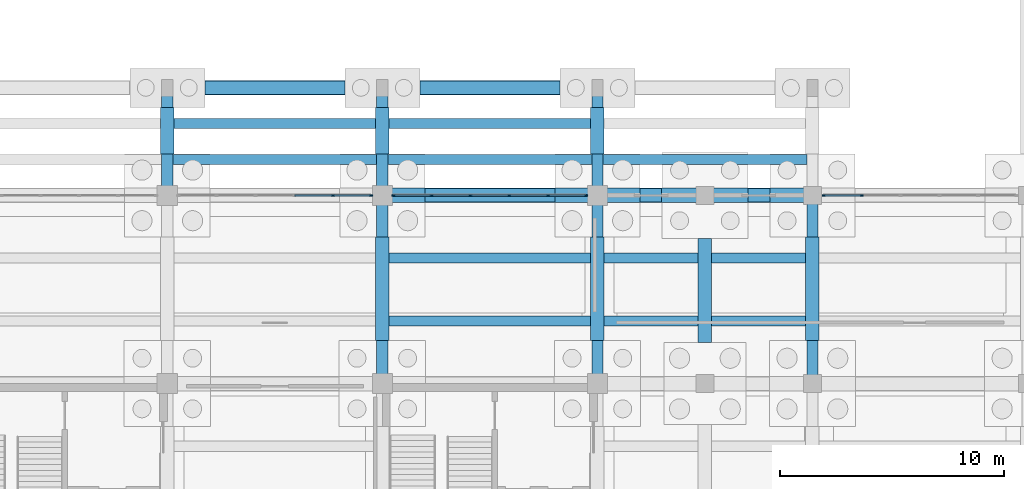
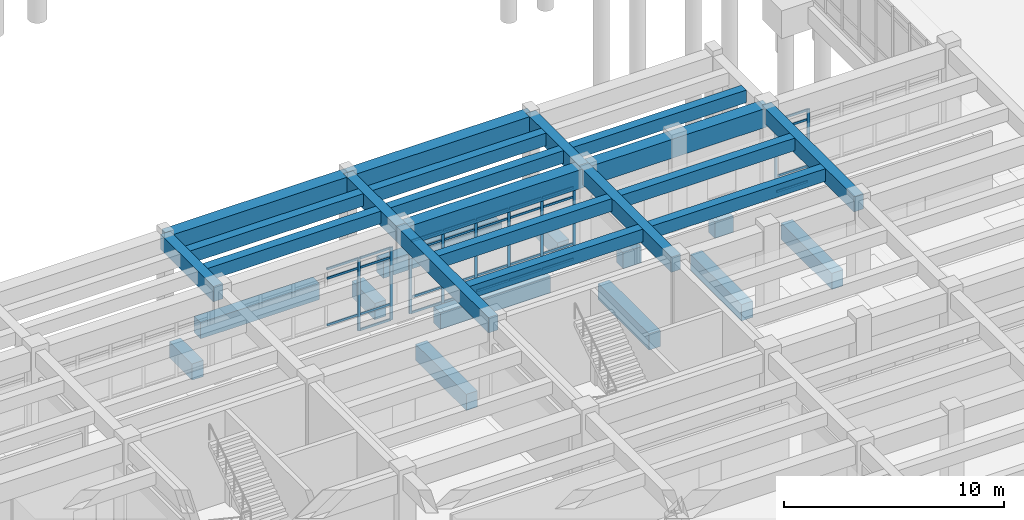
# One storey, part 27 of 102: 41 members, 31 beams, 3 elements without a shape of their own.
"""IFC4 building model written with IfcOpenShell, lengths in metres."""

from ifc_helpers import new_model, si_unit, direction, frame, origin, origin_2d, place, context, subcontext, project, spatial, rectangle, extrude, material, layer, layer_set, material_profile, profile_set, type_object, element, aggregate, save


model = new_model("IFC4")

# Units and contexts
model_context = context("Model", 3, precision=1e-05, world=origin(), true_north=direction((0.0, 1.0)))
body_context = subcontext(model_context, "Body", "Model", "MODEL_VIEW")
ifc_project = project(units=[si_unit("LENGTHUNIT", "METRE"), si_unit("AREAUNIT", "SQUARE_METRE"), si_unit("VOLUMEUNIT", "CUBIC_METRE"), si_unit("PLANEANGLEUNIT", "RADIAN"), si_unit("MASSUNIT", "GRAM", prefix="KILO")], contexts=[model_context])

# Site, building, storey
site_placement = place(None, origin())
site = spatial("IfcSite", under=ifc_project, at=site_placement, CompositionType="ELEMENT")
building_placement = place(site_placement, origin())
building = spatial("IfcBuilding", under=site, at=building_placement, Name="Kolvemor Railside Polytechnic", CompositionType="ELEMENT")
storey_placement = place(building_placement, origin())
storey = spatial("IfcBuildingStorey", under=building, at=storey_placement, Name="L00", CompositionType="ELEMENT", Elevation=0.0)

# Beams
ifc_material_1 = material(Name="Concrete C40/50", Category="concrete")
ifc_material_profile_1 = material_profile(ifc_material_1, rectangle(XDim=0.64990234375, YDim=1.050048828125, at=origin_2d()), Name="RC650x1050")
ifc_profile_set_1 = profile_set([ifc_material_profile_1], Name="Concrete C40/50")
beam_type_1 = type_object("IfcBeamType", Name="BM-RC-GIRD2", PredefinedType="BEAM", material=ifc_profile_set_1)
beam_1_placement = place(storey_placement, frame((105.60009765625, 38.39990234375, 4.5849609375), z_axis=(1.0, 0.0, 0.0), x_axis=(0.0, 1.0, 0.0)))
element("IfcBeam", 1, at=beam_1_placement, inside=storey, type_object=beam_type_1, Name="Primary Girder L01-GX 0233", PredefinedType="BEAM", context=body_context, shape_type="SweptSolid", body=[
    extrude(rectangle(XDim=0.64990234375, YDim=1.050048828125, at=origin_2d()), origin(), (0.0, 0.0, 1.0), 9.599853515625),
])
for number, where, z_axis, x_axis, name in (
    (2, (115.199951171875, 38.39990234375, 4.5849609375), (1.0, 0.0, 0.0), (0.0, 1.0, 0.0), "Primary Girder L01-GX 0234"),
    (3, (96.0, 43.199951171875, 4.5849609375), (1.0, 0.0, 0.0), (0.0, 1.0, 0.0), "Primary Girder L01-GX 1839"),
):
    element("IfcBeam", number, at=place(storey_placement, frame(where, z_axis=z_axis, x_axis=x_axis)), inside=storey, type_object=beam_type_1, Name=name, PredefinedType="BEAM", context=body_context, shape_type="SweptSolid", body=[
        extrude(rectangle(XDim=0.64990234375, YDim=1.050048828125, at=origin_2d()), origin(), (0.0, 0.0, 1.0), 9.60009765625),
    ])
beam_2_placement = place(storey_placement, frame((105.60009765625, 43.199951171875, 4.5849609375), z_axis=(1.0, 0.0, 0.0), x_axis=(0.0, 1.0, 0.0)))
element("IfcBeam", 4, at=beam_2_placement, inside=storey, type_object=beam_type_1, Name="Primary Girder L01-GX 1840", PredefinedType="BEAM", context=body_context, shape_type="SweptSolid", body=[
    extrude(rectangle(XDim=0.64990234375, YDim=1.050048828125, at=origin_2d()), origin(), (0.0, 0.0, 1.0), 9.599853515625),
])
ifc_material_2 = material(Name="Concrete C40/50", Category="concrete")
ifc_material_profile_2 = material_profile(ifc_material_2, rectangle(XDim=0.5, YDim=0.85009765625, at=origin_2d()), Name="RC500x850")
ifc_profile_set_2 = profile_set([ifc_material_profile_2], Name="Concrete C40/50")
beam_type_2 = type_object("IfcBeamType", Name="BM-RC-GIRD3", PredefinedType="BEAM", material=ifc_profile_set_2)
for number, where, z_axis, x_axis, name in (
    (5, (105.60009765625, 30.0, 4.68505859375), (0.0, 1.0, 0.0), (-1.0, 0.0, 0.0), "Primary Girder L01-GY 0259"),
    (6, (115.199951171875, 30.0, 4.68505859375), (0.0, 1.0, 0.0), (-1.0, 0.0, 0.0), "Primary Girder L01-GY 0263"),
    (7, (124.800048828125, 30.0, 4.68505859375), (0.0, 1.0, 0.0), (-1.0, 0.0, 0.0), "Primary Girder L01-GY 0267"),
):
    element("IfcBeam", number, at=place(storey_placement, frame(where, z_axis=z_axis, x_axis=x_axis)), inside=storey, type_object=beam_type_2, Name=name, PredefinedType="BEAM", context=body_context, shape_type="SweptSolid", body=[
        extrude(rectangle(XDim=0.5, YDim=0.85009765625, at=origin_2d()), origin(), (0.0, 0.0, 1.0), 8.39990234375),
    ])
for number, where, z_axis, x_axis, name in (
    (8, (96.0, 38.39990234375, 4.68505859375), (0.0, 1.0, 0.0), (-1.0, 0.0, 0.0), "Primary Girder L01-GY 1846"),
    (9, (105.60009765625, 38.39990234375, 4.68505859375), (0.0, 1.0, 0.0), (-1.0, 0.0, 0.0), "Primary Girder L01-GY 1847"),
    (10, (115.199951171875, 38.39990234375, 4.68505859375), (0.0, 1.0, 0.0), (-1.0, 0.0, 0.0), "Primary Girder L01-GY 1848"),
):
    element("IfcBeam", number, at=place(storey_placement, frame(where, z_axis=z_axis, x_axis=x_axis)), inside=storey, type_object=beam_type_2, Name=name, PredefinedType="BEAM", context=body_context, shape_type="SweptSolid", body=[
        extrude(rectangle(XDim=0.5, YDim=0.85009765625, at=origin_2d()), origin(), (0.0, 0.0, 1.0), 4.800048828125),
    ])
ifc_material_3 = material(Name="Concrete C40/50", Category="concrete")
ifc_material_profile_3 = material_profile(ifc_material_3, rectangle(XDim=0.449951171875, YDim=0.699951171875, at=origin_2d()), Name="RC450x700")
ifc_profile_set_3 = profile_set([ifc_material_profile_3], Name="Concrete C40/50")
beam_type_3 = type_object("IfcBeamType", Name="BM-RC-SEC2", PredefinedType="JOIST", material=ifc_profile_set_3)
for number, where, z_axis, x_axis, name in (
    (11, (105.85009765625, 32.800048828125, 4.760009765625), (1.0, 0.0, 0.0), (0.0, 1.0, 0.0), "Floor Joist L01-J0320"),
    (12, (105.85009765625, 35.60009765625, 4.760009765625), (1.0, 0.0, 0.0), (0.0, 1.0, 0.0), "Floor Joist L01-J0321"),
):
    element("IfcBeam", number, at=place(storey_placement, frame(where, z_axis=z_axis, x_axis=x_axis)), inside=storey, type_object=beam_type_3, Name=name, PredefinedType="JOIST", context=body_context, shape_type="SweptSolid", body=[
        extrude(rectangle(XDim=0.449951171875, YDim=0.699951171875, at=origin_2d()), origin(), (0.0, 0.0, 1.0), 9.099853515625),
    ])
for number, where, z_axis, x_axis, name in (
    (13, (115.449951171875, 32.800048828125, 4.760009765625), (1.0, 0.0, 0.0), (0.0, 1.0, 0.0), "Floor Joist L01-J0328"),
    (14, (115.449951171875, 35.60009765625, 4.760009765625), (1.0, 0.0, 0.0), (0.0, 1.0, 0.0), "Floor Joist L01-J0329"),
    (15, (96.25, 40.0, 4.760009765625), (1.0, 0.0, 0.0), (0.0, 1.0, 0.0), "Floor Joist L01-J1858"),
    (16, (96.25, 41.60009765625, 4.760009765625), (1.0, 0.0, 0.0), (0.0, 1.0, 0.0), "Floor Joist L01-J1859"),
):
    element("IfcBeam", number, at=place(storey_placement, frame(where, z_axis=z_axis, x_axis=x_axis)), inside=storey, type_object=beam_type_3, Name=name, PredefinedType="JOIST", context=body_context, shape_type="SweptSolid", body=[
        extrude(rectangle(XDim=0.449951171875, YDim=0.699951171875, at=origin_2d()), origin(), (0.0, 0.0, 1.0), 9.10009765625),
    ])
for number, where, z_axis, x_axis, name in (
    (17, (105.85009765625, 40.0, 4.760009765625), (1.0, 0.0, 0.0), (0.0, 1.0, 0.0), "Floor Joist L01-J1860"),
    (18, (105.85009765625, 41.60009765625, 4.760009765625), (1.0, 0.0, 0.0), (0.0, 1.0, 0.0), "Floor Joist L01-J1861"),
):
    element("IfcBeam", number, at=place(storey_placement, frame(where, z_axis=z_axis, x_axis=x_axis)), inside=storey, type_object=beam_type_3, Name=name, PredefinedType="JOIST", context=body_context, shape_type="SweptSolid", body=[
        extrude(rectangle(XDim=0.449951171875, YDim=0.699951171875, at=origin_2d()), origin(), (0.0, 0.0, 1.0), 9.099853515625),
    ])
beam_3_placement = place(storey_placement, frame((115.449951171875, 40.0, 4.760009765625), z_axis=(1.0, 0.0, 0.0), x_axis=(0.0, 1.0, 0.0)))
element("IfcBeam", 19, at=beam_3_placement, inside=storey, type_object=beam_type_3, Name="Floor Joist L01-J1862", PredefinedType="JOIST", context=body_context, shape_type="SweptSolid", body=[
    extrude(rectangle(XDim=0.449951171875, YDim=0.699951171875, at=origin_2d()), origin(), (0.0, 0.0, 1.0), 9.10009765625),
])
ifc_material_4 = material(Name="Concrete C40/50", Category="concrete")
ifc_material_profile_4 = material_profile(ifc_material_4, rectangle(XDim=0.60009765625, YDim=0.89990234375, at=origin_2d()), Name="RC600x900")
ifc_profile_set_4 = profile_set([ifc_material_profile_4], Name="Concrete C40/50")
beam_type_4 = type_object("IfcBeamType", Name="BM-RC-TIE", PredefinedType="BEAM", material=ifc_profile_set_4)
beam_4_placement = place(storey_placement, frame((107.501953125, 38.39990234375, -0.75), z_axis=(1.0, 0.0, 0.0), x_axis=(0.0, 1.0, 0.0)))
element("IfcBeam", 20, at=beam_4_placement, inside=storey, type_object=beam_type_4, Name="Ground Tie Beam GTB-X119", PredefinedType="BEAM", context=body_context, shape_type="SweptSolid", body=[
    extrude(rectangle(XDim=0.60009765625, YDim=0.89990234375, at=origin_2d()), origin(), (0.0, 0.0, 1.0), 5.796142578125),
])
for number, where, z_axis, x_axis, name in (
    (21, (117.10205078125, 38.39990234375, -0.75), (1.0, 0.0, 0.0), (0.0, 1.0, 0.0), "Ground Tie Beam GTB-X120"),
    (22, (121.927001953125, 38.39990234375, -0.75), (1.0, 0.0, 0.0), (0.0, 1.0, 0.0), "Ground Tie Beam GTB-X121"),
):
    element("IfcBeam", number, at=place(storey_placement, frame(where, z_axis=z_axis, x_axis=x_axis)), inside=storey, type_object=beam_type_4, Name=name, PredefinedType="BEAM", context=body_context, shape_type="SweptSolid", body=[
        extrude(rectangle(XDim=0.60009765625, YDim=0.89990234375, at=origin_2d()), origin(), (0.0, 0.0, 1.0), 0.970947265625),
    ])
beam_5_placement = place(storey_placement, frame((97.677001953125, 43.199951171875, -0.75), z_axis=(1.0, 0.0, 0.0), x_axis=(0.0, 1.0, 0.0)))
element("IfcBeam", 23, at=beam_5_placement, inside=storey, type_object=beam_type_4, Name="Ground Tie Beam GTB-X132", PredefinedType="BEAM", context=body_context, shape_type="SweptSolid", body=[
    extrude(rectangle(XDim=0.60009765625, YDim=0.89990234375, at=origin_2d()), origin(), (0.0, 0.0, 1.0), 6.24609375),
])
beam_6_placement = place(storey_placement, frame((107.277099609375, 43.199951171875, -0.75), z_axis=(1.0, 0.0, 0.0), x_axis=(0.0, 1.0, 0.0)))
element("IfcBeam", 24, at=beam_6_placement, inside=storey, type_object=beam_type_4, Name="Ground Tie Beam GTB-X133", PredefinedType="BEAM", context=body_context, shape_type="SweptSolid", body=[
    extrude(rectangle(XDim=0.60009765625, YDim=0.89990234375, at=origin_2d()), origin(), (0.0, 0.0, 1.0), 6.245849609375),
])
beam_7_placement = place(storey_placement, frame((96.0, 40.251953125, -0.75), z_axis=(0.0, 1.0, 0.0), x_axis=(-1.0, 0.0, 0.0)))
element("IfcBeam", 25, at=beam_7_placement, inside=storey, type_object=beam_type_4, Name="Ground Tie Beam GTB-Y347", PredefinedType="BEAM", context=body_context, shape_type="SweptSolid", body=[
    extrude(rectangle(XDim=0.60009765625, YDim=0.89990234375, at=origin_2d()), origin(), (0.0, 0.0, 1.0), 2.071044921875),
])
beam_8_placement = place(storey_placement, frame((105.60009765625, 31.927001953125, -0.75), z_axis=(0.0, 1.0, 0.0), x_axis=(-1.0, 0.0, 0.0)))
element("IfcBeam", 26, at=beam_8_placement, inside=storey, type_object=beam_type_4, Name="Ground Tie Beam GTB-Y354", PredefinedType="BEAM", context=body_context, shape_type="SweptSolid", body=[
    extrude(rectangle(XDim=0.60009765625, YDim=0.89990234375, at=origin_2d()), origin(), (0.0, 0.0, 1.0), 4.62109375),
])
beam_9_placement = place(storey_placement, frame((105.60009765625, 40.251953125, -0.75), z_axis=(0.0, 1.0, 0.0), x_axis=(-1.0, 0.0, 0.0)))
element("IfcBeam", 27, at=beam_9_placement, inside=storey, type_object=beam_type_4, Name="Ground Tie Beam GTB-Y355", PredefinedType="BEAM", context=body_context, shape_type="SweptSolid", body=[
    extrude(rectangle(XDim=0.60009765625, YDim=0.89990234375, at=origin_2d()), origin(), (0.0, 0.0, 1.0), 2.071044921875),
])
beam_10_placement = place(storey_placement, frame((115.199951171875, 31.927001953125, -0.75), z_axis=(0.0, 1.0, 0.0), x_axis=(-1.0, 0.0, 0.0)))
element("IfcBeam", 28, at=beam_10_placement, inside=storey, type_object=beam_type_4, Name="Ground Tie Beam GTB-Y362", PredefinedType="BEAM", context=body_context, shape_type="SweptSolid", body=[
    extrude(rectangle(XDim=0.60009765625, YDim=0.89990234375, at=origin_2d()), origin(), (0.0, 0.0, 1.0), 4.62109375),
])
beam_11_placement = place(storey_placement, frame((115.199951171875, 40.251953125, -0.75), z_axis=(0.0, 1.0, 0.0), x_axis=(-1.0, 0.0, 0.0)))
element("IfcBeam", 29, at=beam_11_placement, inside=storey, type_object=beam_type_4, Name="Ground Tie Beam GTB-Y363", PredefinedType="BEAM", context=body_context, shape_type="SweptSolid", body=[
    extrude(rectangle(XDim=0.60009765625, YDim=0.89990234375, at=origin_2d()), origin(), (0.0, 0.0, 1.0), 2.071044921875),
])
beam_12_placement = place(storey_placement, frame((120.0, 31.826904296875, -0.75), z_axis=(0.0, 1.0, 0.0), x_axis=(-1.0, 0.0, 0.0)))
element("IfcBeam", 30, at=beam_12_placement, inside=storey, type_object=beam_type_4, Name="Ground Tie Beam GTB-Y369", PredefinedType="BEAM", context=body_context, shape_type="SweptSolid", body=[
    extrude(rectangle(XDim=0.60009765625, YDim=0.89990234375, at=origin_2d()), origin(), (0.0, 0.0, 1.0), 4.64599609375),
])
beam_13_placement = place(storey_placement, frame((124.800048828125, 31.927001953125, -0.75), z_axis=(0.0, 1.0, 0.0), x_axis=(-1.0, 0.0, 0.0)))
element("IfcBeam", 31, at=beam_13_placement, inside=storey, type_object=beam_type_4, Name="Ground Tie Beam GTB-Y374", PredefinedType="BEAM", context=body_context, shape_type="SweptSolid", body=[
    extrude(rectangle(XDim=0.60009765625, YDim=0.89990234375, at=origin_2d()), origin(), (0.0, 0.0, 1.0), 4.62109375),
])

# Curtain wall, members
ifc_material_5 = material(Name="Anodised marine aluminium and laminated low-E glass", Category="aluminium")
ifc_layer = layer(ifc_material_5, 0.179931640625, Name="CW-UNIT-STD")
ifc_layer_set = layer_set([ifc_layer], Name="Anodised marine aluminium and laminated low-E glass")
curtain_wall_type = type_object("IfcCurtainWallType", Name="CW-UNIT-STD", PredefinedType="USERDEFINED", material=ifc_layer_set)
curtain_wall_1_placement = place(storey_placement, origin())
curtain_wall_1 = element("IfcCurtainWall", 32, at=curtain_wall_1_placement, inside=storey, type_object=curtain_wall_type, Name="Curtain Wall L00-110", ObjectType="UNITISED CURTAIN WALL", PredefinedType="USERDEFINED")
ifc_material_6 = material(Name="Anodised marine aluminium 6063-T6", Category="aluminium")
ifc_material_profile_5 = material_profile(ifc_material_6, rectangle(XDim=0.06494140625, YDim=0.14990234375, at=origin_2d()), Name="CW-MUL-65x150")
ifc_profile_set_5 = profile_set([ifc_material_profile_5], Name="Anodised marine aluminium 6063-T6")
member_type_1 = type_object("IfcMemberType", Name="CWM-65x150", PredefinedType="MULLION", material=ifc_profile_set_5)
member_1_placement = place(storey_placement, frame((105.097412109375, 38.39990234375, 0.0), z_axis=(0.0, 0.0, 1.0), x_axis=(0.0, -1.0, 0.0)))
member_1 = element("IfcMember", 33, at=member_1_placement, type_object=member_type_1, Name="CW-STD mullion 1", PredefinedType="MULLION", context=body_context, shape_type="SweptSolid", body=[
    extrude(rectangle(XDim=0.06494140625, YDim=0.14990234375, at=origin_2d()), origin(), (0.0, 0.0, 1.0), 4.0400390625),
])
member_2_placement = place(storey_placement, frame((103.39794921875, 38.39990234375, 0.0), z_axis=(0.0, 0.0, 1.0), x_axis=(0.0, -1.0, 0.0)))
member_2 = element("IfcMember", 34, at=member_2_placement, type_object=member_type_1, Name="CW-STD mullion 2", PredefinedType="MULLION", context=body_context, shape_type="SweptSolid", body=[
    extrude(rectangle(XDim=0.06494140625, YDim=0.14990234375, at=origin_2d()), origin(), (0.0, 0.0, 1.0), 4.0400390625),
])

curtain_wall_2_placement = place(storey_placement, origin())
curtain_wall_2 = element("IfcCurtainWall", 35, at=curtain_wall_2_placement, inside=storey, type_object=curtain_wall_type, Name="Curtain Wall L00-111", ObjectType="UNITISED CURTAIN WALL", PredefinedType="USERDEFINED")
member_3_placement = place(storey_placement, frame((114.697509765625, 38.39990234375, 0.0), z_axis=(0.0, 0.0, 1.0), x_axis=(0.0, -1.0, 0.0)))
member_3 = element("IfcMember", 36, at=member_3_placement, type_object=member_type_1, Name="CW-STD mullion 1", PredefinedType="MULLION", context=body_context, shape_type="SweptSolid", body=[
    extrude(rectangle(XDim=0.06494140625, YDim=0.14990234375, at=origin_2d()), origin(), (0.0, 0.0, 1.0), 4.0400390625),
])
member_4_placement = place(storey_placement, frame((112.998046875, 38.39990234375, 0.0), z_axis=(0.0, 0.0, 1.0), x_axis=(0.0, -1.0, 0.0)))
member_4 = element("IfcMember", 37, at=member_4_placement, type_object=member_type_1, Name="CW-STD mullion 2", PredefinedType="MULLION", context=body_context, shape_type="SweptSolid", body=[
    extrude(rectangle(XDim=0.06494140625, YDim=0.14990234375, at=origin_2d()), origin(), (0.0, 0.0, 1.0), 4.0400390625),
])
member_5_placement = place(storey_placement, frame((111.26611328125, 38.39990234375, 0.0), z_axis=(0.0, 0.0, 1.0), x_axis=(0.0, -1.0, 0.0)))
member_5 = element("IfcMember", 38, at=member_5_placement, type_object=member_type_1, Name="CW-STD mullion 3", PredefinedType="MULLION", context=body_context, shape_type="SweptSolid", body=[
    extrude(rectangle(XDim=0.06494140625, YDim=0.14990234375, at=origin_2d()), origin(), (0.0, 0.0, 1.0), 4.0400390625),
])
member_6_placement = place(storey_placement, frame((109.533935546875, 38.39990234375, 0.0), z_axis=(0.0, 0.0, 1.0), x_axis=(0.0, -1.0, 0.0)))
member_6 = element("IfcMember", 39, at=member_6_placement, type_object=member_type_1, Name="CW-STD mullion 4", PredefinedType="MULLION", context=body_context, shape_type="SweptSolid", body=[
    extrude(rectangle(XDim=0.06494140625, YDim=0.14990234375, at=origin_2d()), origin(), (0.0, 0.0, 1.0), 4.0400390625),
])
member_7_placement = place(storey_placement, frame((107.802001953125, 38.39990234375, 0.0), z_axis=(0.0, 0.0, 1.0), x_axis=(0.0, -1.0, 0.0)))
member_7 = element("IfcMember", 40, at=member_7_placement, type_object=member_type_1, Name="CW-STD mullion 5", PredefinedType="MULLION", context=body_context, shape_type="SweptSolid", body=[
    extrude(rectangle(XDim=0.06494140625, YDim=0.14990234375, at=origin_2d()), origin(), (0.0, 0.0, 1.0), 4.0400390625),
])
member_8_placement = place(storey_placement, frame((106.1025390625, 38.39990234375, 0.0), z_axis=(0.0, 0.0, 1.0), x_axis=(0.0, -1.0, 0.0)))
member_8 = element("IfcMember", 41, at=member_8_placement, type_object=member_type_1, Name="CW-STD mullion 6", PredefinedType="MULLION", context=body_context, shape_type="SweptSolid", body=[
    extrude(rectangle(XDim=0.06494140625, YDim=0.14990234375, at=origin_2d()), origin(), (0.0, 0.0, 1.0), 4.0400390625),
])

curtain_wall_3_placement = place(storey_placement, origin())
curtain_wall_3 = element("IfcCurtainWall", 42, at=curtain_wall_3_placement, inside=storey, type_object=curtain_wall_type, Name="Curtain Wall L00-112", ObjectType="UNITISED CURTAIN WALL", PredefinedType="USERDEFINED")
member_9_placement = place(storey_placement, frame((127.001953125, 38.39990234375, 0.0), z_axis=(0.0, 0.0, 1.0), x_axis=(0.0, -1.0, 0.0)))
member_9 = element("IfcMember", 43, at=member_9_placement, type_object=member_type_1, Name="CW-STD mullion 5", PredefinedType="MULLION", context=body_context, shape_type="SweptSolid", body=[
    extrude(rectangle(XDim=0.06494140625, YDim=0.14990234375, at=origin_2d()), origin(), (0.0, 0.0, 1.0), 4.0400390625),
])
member_10_placement = place(storey_placement, frame((125.302490234375, 38.39990234375, 0.0), z_axis=(0.0, 0.0, 1.0), x_axis=(0.0, -1.0, 0.0)))
member_10 = element("IfcMember", 44, at=member_10_placement, type_object=member_type_1, Name="CW-STD mullion 6", PredefinedType="MULLION", context=body_context, shape_type="SweptSolid", body=[
    extrude(rectangle(XDim=0.06494140625, YDim=0.14990234375, at=origin_2d()), origin(), (0.0, 0.0, 1.0), 4.0400390625),
])

# Member
ifc_material_7 = material(Name="Anodised marine aluminium 6063-T6", Category="aluminium")
ifc_material_profile_6 = material_profile(ifc_material_7, rectangle(XDim=0.06494140625, YDim=0.1201171875, at=origin_2d()), Name="CW-TRN-65x120")
ifc_profile_set_6 = profile_set([ifc_material_profile_6], Name="Anodised marine aluminium 6063-T6")
member_type_2 = type_object("IfcMemberType", Name="CWT-65x120", PredefinedType="USERDEFINED", material=ifc_profile_set_6)
member_11_placement = place(storey_placement, frame((105.06494140625, 38.39990234375, 0.032470703125), z_axis=(-1.0, 0.0, 0.0), x_axis=(0.0, -1.0, 0.0)))
member_11 = element("IfcMember", 45, at=member_11_placement, type_object=member_type_2, Name="CW-STD transom 1.1", ObjectType="TRANSOM", PredefinedType="USERDEFINED", context=body_context, shape_type="SweptSolid", body=[
    extrude(rectangle(XDim=0.06494140625, YDim=0.1201171875, at=origin_2d()), origin(), (0.0, 0.0, 1.0), 1.634521484375),
])

member_12_placement = place(storey_placement, frame((105.06494140625, 38.39990234375, 0.89990234375), z_axis=(-1.0, 0.0, 0.0), x_axis=(0.0, -1.0, 0.0)))
member_12 = element("IfcMember", 46, at=member_12_placement, type_object=member_type_2, Name="CW-STD transom 1.2", ObjectType="TRANSOM", PredefinedType="USERDEFINED", context=body_context, shape_type="SweptSolid", body=[
    extrude(rectangle(XDim=0.06494140625, YDim=0.1201171875, at=origin_2d()), origin(), (0.0, 0.0, 1.0), 1.634521484375),
])

member_13_placement = place(storey_placement, frame((105.06494140625, 38.39990234375, 3.489990234375), z_axis=(-1.0, 0.0, 0.0), x_axis=(0.0, -1.0, 0.0)))
member_13 = element("IfcMember", 47, at=member_13_placement, type_object=member_type_2, Name="CW-STD transom 1.3", ObjectType="TRANSOM", PredefinedType="USERDEFINED", context=body_context, shape_type="SweptSolid", body=[
    extrude(rectangle(XDim=0.06494140625, YDim=0.1201171875, at=origin_2d()), origin(), (0.0, 0.0, 1.0), 1.634521484375),
])

member_14_placement = place(storey_placement, frame((105.06494140625, 38.39990234375, 4.007568359375), z_axis=(-1.0, 0.0, 0.0), x_axis=(0.0, -1.0, 0.0)))
member_14 = element("IfcMember", 48, at=member_14_placement, type_object=member_type_2, Name="CW-STD transom 1.4", ObjectType="TRANSOM", PredefinedType="USERDEFINED", context=body_context, shape_type="SweptSolid", body=[
    extrude(rectangle(XDim=0.06494140625, YDim=0.1201171875, at=origin_2d()), origin(), (0.0, 0.0, 1.0), 1.634521484375),
])

member_15_placement = place(storey_placement, frame((103.365478515625, 38.39990234375, 0.89990234375), z_axis=(-1.0, 0.0, 0.0), x_axis=(0.0, -1.0, 0.0)))
member_15 = element("IfcMember", 49, at=member_15_placement, type_object=member_type_2, Name="CW-STD transom 2.2", ObjectType="TRANSOM", PredefinedType="USERDEFINED", context=body_context, shape_type="SweptSolid", body=[
    extrude(rectangle(XDim=0.06494140625, YDim=0.1201171875, at=origin_2d()), origin(), (0.0, 0.0, 1.0), 1.6669921875),
])

member_16_placement = place(storey_placement, frame((103.365478515625, 38.39990234375, 3.489990234375), z_axis=(-1.0, 0.0, 0.0), x_axis=(0.0, -1.0, 0.0)))
member_16 = element("IfcMember", 50, at=member_16_placement, type_object=member_type_2, Name="CW-STD transom 2.3", ObjectType="TRANSOM", PredefinedType="USERDEFINED", context=body_context, shape_type="SweptSolid", body=[
    extrude(rectangle(XDim=0.06494140625, YDim=0.1201171875, at=origin_2d()), origin(), (0.0, 0.0, 1.0), 1.6669921875),
])

member_17_placement = place(storey_placement, frame((103.365478515625, 38.39990234375, 4.007568359375), z_axis=(-1.0, 0.0, 0.0), x_axis=(0.0, -1.0, 0.0)))
member_17 = element("IfcMember", 51, at=member_17_placement, type_object=member_type_2, Name="CW-STD transom 2.4", ObjectType="TRANSOM", PredefinedType="USERDEFINED", context=body_context, shape_type="SweptSolid", body=[
    extrude(rectangle(XDim=0.06494140625, YDim=0.1201171875, at=origin_2d()), origin(), (0.0, 0.0, 1.0), 1.6669921875),
])

aggregate(curtain_wall_1, [member_1, member_2, member_11, member_12, member_13, member_14, member_15, member_16, member_17])

member_18_placement = place(storey_placement, frame((114.6650390625, 38.39990234375, 0.032470703125), z_axis=(-1.0, 0.0, 0.0), x_axis=(0.0, -1.0, 0.0)))
member_18 = element("IfcMember", 52, at=member_18_placement, type_object=member_type_2, Name="CW-STD transom 1.1", ObjectType="TRANSOM", PredefinedType="USERDEFINED", context=body_context, shape_type="SweptSolid", body=[
    extrude(rectangle(XDim=0.06494140625, YDim=0.1201171875, at=origin_2d()), origin(), (0.0, 0.0, 1.0), 1.634521484375),
])

member_19_placement = place(storey_placement, frame((114.6650390625, 38.39990234375, 0.89990234375), z_axis=(-1.0, 0.0, 0.0), x_axis=(0.0, -1.0, 0.0)))
member_19 = element("IfcMember", 53, at=member_19_placement, type_object=member_type_2, Name="CW-STD transom 1.2", ObjectType="TRANSOM", PredefinedType="USERDEFINED", context=body_context, shape_type="SweptSolid", body=[
    extrude(rectangle(XDim=0.06494140625, YDim=0.1201171875, at=origin_2d()), origin(), (0.0, 0.0, 1.0), 1.634521484375),
])

member_20_placement = place(storey_placement, frame((114.6650390625, 38.39990234375, 3.489990234375), z_axis=(-1.0, 0.0, 0.0), x_axis=(0.0, -1.0, 0.0)))
member_20 = element("IfcMember", 54, at=member_20_placement, type_object=member_type_2, Name="CW-STD transom 1.3", ObjectType="TRANSOM", PredefinedType="USERDEFINED", context=body_context, shape_type="SweptSolid", body=[
    extrude(rectangle(XDim=0.06494140625, YDim=0.1201171875, at=origin_2d()), origin(), (0.0, 0.0, 1.0), 1.634521484375),
])

member_21_placement = place(storey_placement, frame((114.6650390625, 38.39990234375, 4.007568359375), z_axis=(-1.0, 0.0, 0.0), x_axis=(0.0, -1.0, 0.0)))
member_21 = element("IfcMember", 55, at=member_21_placement, type_object=member_type_2, Name="CW-STD transom 1.4", ObjectType="TRANSOM", PredefinedType="USERDEFINED", context=body_context, shape_type="SweptSolid", body=[
    extrude(rectangle(XDim=0.06494140625, YDim=0.1201171875, at=origin_2d()), origin(), (0.0, 0.0, 1.0), 1.634521484375),
])

member_22_placement = place(storey_placement, frame((112.965576171875, 38.39990234375, 0.032470703125), z_axis=(-1.0, 0.0, 0.0), x_axis=(0.0, -1.0, 0.0)))
member_22 = element("IfcMember", 56, at=member_22_placement, type_object=member_type_2, Name="CW-STD transom 2.1", ObjectType="TRANSOM", PredefinedType="USERDEFINED", context=body_context, shape_type="SweptSolid", body=[
    extrude(rectangle(XDim=0.06494140625, YDim=0.1201171875, at=origin_2d()), origin(), (0.0, 0.0, 1.0), 1.6669921875),
])

member_23_placement = place(storey_placement, frame((112.965576171875, 38.39990234375, 0.89990234375), z_axis=(-1.0, 0.0, 0.0), x_axis=(0.0, -1.0, 0.0)))
member_23 = element("IfcMember", 57, at=member_23_placement, type_object=member_type_2, Name="CW-STD transom 2.2", ObjectType="TRANSOM", PredefinedType="USERDEFINED", context=body_context, shape_type="SweptSolid", body=[
    extrude(rectangle(XDim=0.06494140625, YDim=0.1201171875, at=origin_2d()), origin(), (0.0, 0.0, 1.0), 1.6669921875),
])

member_24_placement = place(storey_placement, frame((112.965576171875, 38.39990234375, 3.489990234375), z_axis=(-1.0, 0.0, 0.0), x_axis=(0.0, -1.0, 0.0)))
member_24 = element("IfcMember", 58, at=member_24_placement, type_object=member_type_2, Name="CW-STD transom 2.3", ObjectType="TRANSOM", PredefinedType="USERDEFINED", context=body_context, shape_type="SweptSolid", body=[
    extrude(rectangle(XDim=0.06494140625, YDim=0.1201171875, at=origin_2d()), origin(), (0.0, 0.0, 1.0), 1.6669921875),
])

member_25_placement = place(storey_placement, frame((112.965576171875, 38.39990234375, 4.007568359375), z_axis=(-1.0, 0.0, 0.0), x_axis=(0.0, -1.0, 0.0)))
member_25 = element("IfcMember", 59, at=member_25_placement, type_object=member_type_2, Name="CW-STD transom 2.4", ObjectType="TRANSOM", PredefinedType="USERDEFINED", context=body_context, shape_type="SweptSolid", body=[
    extrude(rectangle(XDim=0.06494140625, YDim=0.1201171875, at=origin_2d()), origin(), (0.0, 0.0, 1.0), 1.6669921875),
])

member_26_placement = place(storey_placement, frame((111.2333984375, 38.39990234375, 0.032470703125), z_axis=(-1.0, 0.0, 0.0), x_axis=(0.0, -1.0, 0.0)))
member_26 = element("IfcMember", 60, at=member_26_placement, type_object=member_type_2, Name="CW-STD transom 3.1", ObjectType="TRANSOM", PredefinedType="USERDEFINED", context=body_context, shape_type="SweptSolid", body=[
    extrude(rectangle(XDim=0.06494140625, YDim=0.1201171875, at=origin_2d()), origin(), (0.0, 0.0, 1.0), 1.6669921875),
])

member_27_placement = place(storey_placement, frame((111.2333984375, 38.39990234375, 0.89990234375), z_axis=(-1.0, 0.0, 0.0), x_axis=(0.0, -1.0, 0.0)))
member_27 = element("IfcMember", 61, at=member_27_placement, type_object=member_type_2, Name="CW-STD transom 3.2", ObjectType="TRANSOM", PredefinedType="USERDEFINED", context=body_context, shape_type="SweptSolid", body=[
    extrude(rectangle(XDim=0.06494140625, YDim=0.1201171875, at=origin_2d()), origin(), (0.0, 0.0, 1.0), 1.6669921875),
])

member_28_placement = place(storey_placement, frame((111.2333984375, 38.39990234375, 3.489990234375), z_axis=(-1.0, 0.0, 0.0), x_axis=(0.0, -1.0, 0.0)))
member_28 = element("IfcMember", 62, at=member_28_placement, type_object=member_type_2, Name="CW-STD transom 3.3", ObjectType="TRANSOM", PredefinedType="USERDEFINED", context=body_context, shape_type="SweptSolid", body=[
    extrude(rectangle(XDim=0.06494140625, YDim=0.1201171875, at=origin_2d()), origin(), (0.0, 0.0, 1.0), 1.6669921875),
])

member_29_placement = place(storey_placement, frame((111.2333984375, 38.39990234375, 4.007568359375), z_axis=(-1.0, 0.0, 0.0), x_axis=(0.0, -1.0, 0.0)))
member_29 = element("IfcMember", 63, at=member_29_placement, type_object=member_type_2, Name="CW-STD transom 3.4", ObjectType="TRANSOM", PredefinedType="USERDEFINED", context=body_context, shape_type="SweptSolid", body=[
    extrude(rectangle(XDim=0.06494140625, YDim=0.1201171875, at=origin_2d()), origin(), (0.0, 0.0, 1.0), 1.6669921875),
])

member_30_placement = place(storey_placement, frame((109.50146484375, 38.39990234375, 0.032470703125), z_axis=(-1.0, 0.0, 0.0), x_axis=(0.0, -1.0, 0.0)))
member_30 = element("IfcMember", 64, at=member_30_placement, type_object=member_type_2, Name="CW-STD transom 4.1", ObjectType="TRANSOM", PredefinedType="USERDEFINED", context=body_context, shape_type="SweptSolid", body=[
    extrude(rectangle(XDim=0.06494140625, YDim=0.1201171875, at=origin_2d()), origin(), (0.0, 0.0, 1.0), 1.6669921875),
])

member_31_placement = place(storey_placement, frame((109.50146484375, 38.39990234375, 0.89990234375), z_axis=(-1.0, 0.0, 0.0), x_axis=(0.0, -1.0, 0.0)))
member_31 = element("IfcMember", 65, at=member_31_placement, type_object=member_type_2, Name="CW-STD transom 4.2", ObjectType="TRANSOM", PredefinedType="USERDEFINED", context=body_context, shape_type="SweptSolid", body=[
    extrude(rectangle(XDim=0.06494140625, YDim=0.1201171875, at=origin_2d()), origin(), (0.0, 0.0, 1.0), 1.6669921875),
])

member_32_placement = place(storey_placement, frame((109.50146484375, 38.39990234375, 3.489990234375), z_axis=(-1.0, 0.0, 0.0), x_axis=(0.0, -1.0, 0.0)))
member_32 = element("IfcMember", 66, at=member_32_placement, type_object=member_type_2, Name="CW-STD transom 4.3", ObjectType="TRANSOM", PredefinedType="USERDEFINED", context=body_context, shape_type="SweptSolid", body=[
    extrude(rectangle(XDim=0.06494140625, YDim=0.1201171875, at=origin_2d()), origin(), (0.0, 0.0, 1.0), 1.6669921875),
])

member_33_placement = place(storey_placement, frame((109.50146484375, 38.39990234375, 4.007568359375), z_axis=(-1.0, 0.0, 0.0), x_axis=(0.0, -1.0, 0.0)))
member_33 = element("IfcMember", 67, at=member_33_placement, type_object=member_type_2, Name="CW-STD transom 4.4", ObjectType="TRANSOM", PredefinedType="USERDEFINED", context=body_context, shape_type="SweptSolid", body=[
    extrude(rectangle(XDim=0.06494140625, YDim=0.1201171875, at=origin_2d()), origin(), (0.0, 0.0, 1.0), 1.6669921875),
])

member_34_placement = place(storey_placement, frame((107.76953125, 38.39990234375, 0.032470703125), z_axis=(-1.0, 0.0, 0.0), x_axis=(0.0, -1.0, 0.0)))
member_34 = element("IfcMember", 68, at=member_34_placement, type_object=member_type_2, Name="CW-STD transom 5.1", ObjectType="TRANSOM", PredefinedType="USERDEFINED", context=body_context, shape_type="SweptSolid", body=[
    extrude(rectangle(XDim=0.06494140625, YDim=0.1201171875, at=origin_2d()), origin(), (0.0, 0.0, 1.0), 1.634521484375),
])

member_35_placement = place(storey_placement, frame((107.76953125, 38.39990234375, 0.89990234375), z_axis=(-1.0, 0.0, 0.0), x_axis=(0.0, -1.0, 0.0)))
member_35 = element("IfcMember", 69, at=member_35_placement, type_object=member_type_2, Name="CW-STD transom 5.2", ObjectType="TRANSOM", PredefinedType="USERDEFINED", context=body_context, shape_type="SweptSolid", body=[
    extrude(rectangle(XDim=0.06494140625, YDim=0.1201171875, at=origin_2d()), origin(), (0.0, 0.0, 1.0), 1.634521484375),
])

member_36_placement = place(storey_placement, frame((107.76953125, 38.39990234375, 3.489990234375), z_axis=(-1.0, 0.0, 0.0), x_axis=(0.0, -1.0, 0.0)))
member_36 = element("IfcMember", 70, at=member_36_placement, type_object=member_type_2, Name="CW-STD transom 5.3", ObjectType="TRANSOM", PredefinedType="USERDEFINED", context=body_context, shape_type="SweptSolid", body=[
    extrude(rectangle(XDim=0.06494140625, YDim=0.1201171875, at=origin_2d()), origin(), (0.0, 0.0, 1.0), 1.634521484375),
])

member_37_placement = place(storey_placement, frame((107.76953125, 38.39990234375, 4.007568359375), z_axis=(-1.0, 0.0, 0.0), x_axis=(0.0, -1.0, 0.0)))
member_37 = element("IfcMember", 71, at=member_37_placement, type_object=member_type_2, Name="CW-STD transom 5.4", ObjectType="TRANSOM", PredefinedType="USERDEFINED", context=body_context, shape_type="SweptSolid", body=[
    extrude(rectangle(XDim=0.06494140625, YDim=0.1201171875, at=origin_2d()), origin(), (0.0, 0.0, 1.0), 1.634521484375),
])

aggregate(curtain_wall_2, [member_3, member_4, member_5, member_6, member_7, member_8, member_18, member_19, member_20, member_21, member_22, member_23, member_24, member_25, member_26, member_27, member_28, member_29, member_30, member_31, member_32, member_33, member_34, member_35, member_36, member_37])

member_38_placement = place(storey_placement, frame((126.969482421875, 38.39990234375, 0.032470703125), z_axis=(-1.0, 0.0, 0.0), x_axis=(0.0, -1.0, 0.0)))
member_38 = element("IfcMember", 72, at=member_38_placement, type_object=member_type_2, Name="CW-STD transom 5.1", ObjectType="TRANSOM", PredefinedType="USERDEFINED", context=body_context, shape_type="SweptSolid", body=[
    extrude(rectangle(XDim=0.06494140625, YDim=0.1201171875, at=origin_2d()), origin(), (0.0, 0.0, 1.0), 1.634521484375),
])

member_39_placement = place(storey_placement, frame((126.969482421875, 38.39990234375, 0.89990234375), z_axis=(-1.0, 0.0, 0.0), x_axis=(0.0, -1.0, 0.0)))
member_39 = element("IfcMember", 73, at=member_39_placement, type_object=member_type_2, Name="CW-STD transom 5.2", ObjectType="TRANSOM", PredefinedType="USERDEFINED", context=body_context, shape_type="SweptSolid", body=[
    extrude(rectangle(XDim=0.06494140625, YDim=0.1201171875, at=origin_2d()), origin(), (0.0, 0.0, 1.0), 1.634521484375),
])

member_40_placement = place(storey_placement, frame((126.969482421875, 38.39990234375, 3.489990234375), z_axis=(-1.0, 0.0, 0.0), x_axis=(0.0, -1.0, 0.0)))
member_40 = element("IfcMember", 74, at=member_40_placement, type_object=member_type_2, Name="CW-STD transom 5.3", ObjectType="TRANSOM", PredefinedType="USERDEFINED", context=body_context, shape_type="SweptSolid", body=[
    extrude(rectangle(XDim=0.06494140625, YDim=0.1201171875, at=origin_2d()), origin(), (0.0, 0.0, 1.0), 1.634521484375),
])

member_41_placement = place(storey_placement, frame((126.969482421875, 38.39990234375, 4.007568359375), z_axis=(-1.0, 0.0, 0.0), x_axis=(0.0, -1.0, 0.0)))
member_41 = element("IfcMember", 75, at=member_41_placement, type_object=member_type_2, Name="CW-STD transom 5.4", ObjectType="TRANSOM", PredefinedType="USERDEFINED", context=body_context, shape_type="SweptSolid", body=[
    extrude(rectangle(XDim=0.06494140625, YDim=0.1201171875, at=origin_2d()), origin(), (0.0, 0.0, 1.0), 1.634521484375),
])

aggregate(curtain_wall_3, [member_9, member_10, member_38, member_39, member_40, member_41])

save(model, "model.ifc")
